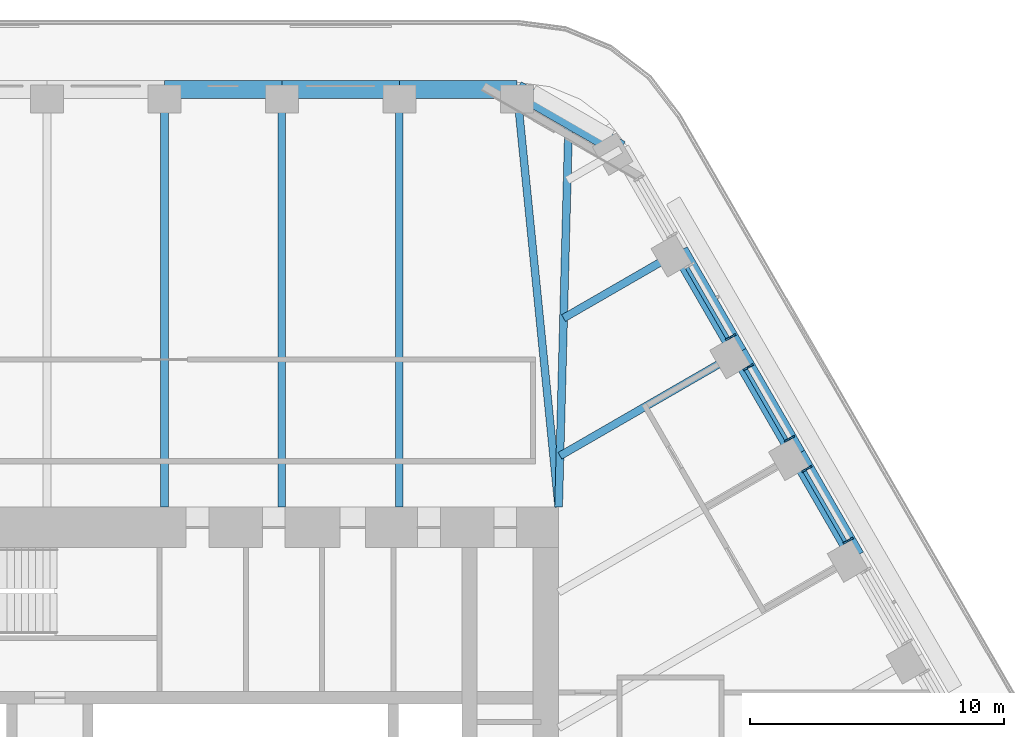
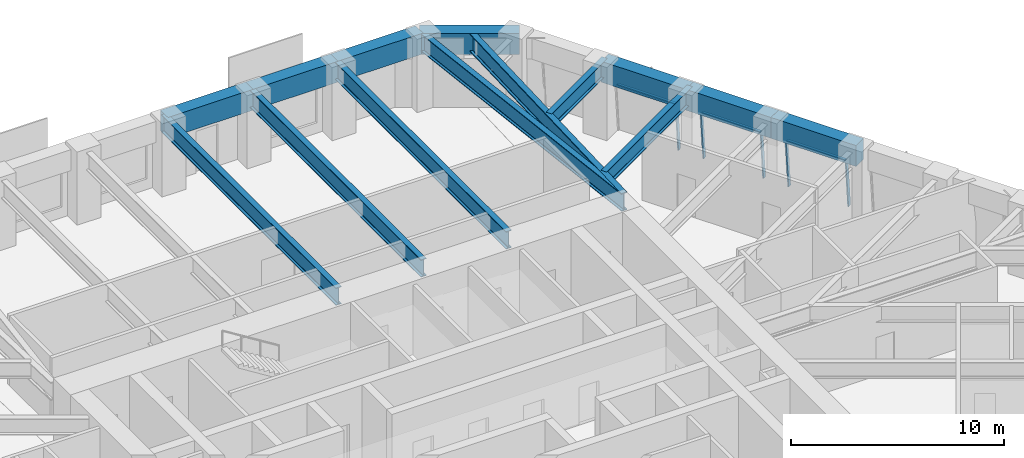
# One storey, part 11 of 20: 14 beams, 8 members, 3 elements without a shape of their own.
"""IFC4 building model written with IfcOpenShell, lengths in metres."""

from ifc_helpers import new_model, si_unit, direction, frame, origin, origin_2d, place, context, subcontext, project, spatial, rectangle, i_section, extrude, material, material_profile, profile_set, type_object, element, aggregate, save


model = new_model("IFC4")

# Units and contexts
model_context = context("Model", 3, precision=1e-05, world=origin(), true_north=direction((0.0, 1.0)))
body_context = subcontext(model_context, "Body", "Model", "MODEL_VIEW")
ifc_project = project(units=[si_unit("LENGTHUNIT", "METRE"), si_unit("AREAUNIT", "SQUARE_METRE"), si_unit("VOLUMEUNIT", "CUBIC_METRE"), si_unit("PLANEANGLEUNIT", "RADIAN"), si_unit("MASSUNIT", "GRAM", prefix="KILO")], contexts=[model_context])

# Site, building, storey
site_placement = place(None, origin())
site = spatial("IfcSite", under=ifc_project, at=site_placement, CompositionType="ELEMENT")
building_placement = place(site_placement, origin())
building = spatial("IfcBuilding", under=site, at=building_placement, Name="Tarfa Lantern Tower", CompositionType="ELEMENT")
storey_placement = place(building_placement, frame((0.0, 0.0, 249.10009765625)))
storey = spatial("IfcBuildingStorey", under=building, at=storey_placement, Name="L56", CompositionType="ELEMENT", Elevation=249.10009765625)

# Curtain wall, members
ifc_material_1 = material(Name="Aluminium framed curtain wall", Category="aluminium")
curtain_wall_type = type_object("IfcCurtainWallType", Name="CW3 CANTED GLAZING HIGH ZONE 2800", PredefinedType="USERDEFINED", material=ifc_material_1)
curtain_wall_1_placement = place(storey_placement, origin())
curtain_wall_1 = element("IfcCurtainWall", 1, at=curtain_wall_1_placement, inside=storey, type_object=curtain_wall_type, Name="CW3 NE L56", ObjectType="CURTAIN WALL", PredefinedType="USERDEFINED")
ifc_material_2 = material(Name="Aluminium mullion", Category="aluminium")
ifc_material_profile_1 = material_profile(ifc_material_2, rectangle(XDim=0.06494140625, YDim=0.199951171875, at=origin_2d()), Name="AL MULLION 65x200")
ifc_profile_set_1 = profile_set([ifc_material_profile_1], Name="Aluminium mullion")
member_type_1 = type_object("IfcMemberType", Name="CWM1 MULLION 65x200", PredefinedType="MULLION", material=ifc_profile_set_1)
member_1_placement = place(storey_placement, frame((26.996337890625, 11.041015625, 0.0), z_axis=(-0.077039050765, -0.044468989844, 0.996035889715), x_axis=(0.499919672301, -0.866071776036, 0.0)))
member_1 = element("IfcMember", 2, at=member_1_placement, type_object=member_type_1, Name="CW3 mullion 1", PredefinedType="MULLION", context=body_context, shape_type="SweptSolid", body=[
    extrude(rectangle(XDim=0.06494140625, YDim=0.199951171875, at=origin_2d()), origin(), (0.0, 0.0, 1.0), 2.81103515625),
])
member_2_placement = place(storey_placement, frame((25.369384765625, 13.85888671875, 0.0), z_axis=(-0.077039050765, -0.044468989844, 0.996035889715), x_axis=(0.499919672301, -0.866071776036, 0.0)))
member_2 = element("IfcMember", 3, at=member_2_placement, type_object=member_type_1, Name="CW3 mullion 2", PredefinedType="MULLION", context=body_context, shape_type="SweptSolid", body=[
    extrude(rectangle(XDim=0.06494140625, YDim=0.199951171875, at=origin_2d()), origin(), (0.0, 0.0, 1.0), 2.81103515625),
])

curtain_wall_2_placement = place(storey_placement, origin())
curtain_wall_2 = element("IfcCurtainWall", 4, at=curtain_wall_2_placement, inside=storey, type_object=curtain_wall_type, Name="CW3 NE L56", ObjectType="CURTAIN WALL", PredefinedType="USERDEFINED")
member_3_placement = place(storey_placement, frame((24.686767578125, 15.041015625, 0.0), z_axis=(-0.07695271188, -0.044469287226, 0.996042550611), x_axis=(0.500342721131, -0.865827443207, 0.0)))
member_3 = element("IfcMember", 5, at=member_3_placement, type_object=member_type_1, Name="CW3 mullion 1", PredefinedType="MULLION", context=body_context, shape_type="SweptSolid", body=[
    extrude(rectangle(XDim=0.06494140625, YDim=0.199951171875, at=origin_2d()), origin(), (0.0, 0.0, 1.0), 2.81103515625),
])
member_4_placement = place(storey_placement, frame((23.06005859375, 17.85888671875, 0.0), z_axis=(-0.077039050765, -0.044468989844, 0.996035889715), x_axis=(0.499919672301, -0.866071776036, 0.0)))
member_4 = element("IfcMember", 6, at=member_4_placement, type_object=member_type_1, Name="CW3 mullion 2", PredefinedType="MULLION", context=body_context, shape_type="SweptSolid", body=[
    extrude(rectangle(XDim=0.06494140625, YDim=0.199951171875, at=origin_2d()), origin(), (0.0, 0.0, 1.0), 2.81103515625),
])

# Curtain wall, member
curtain_wall_3_placement = place(storey_placement, origin())
curtain_wall_3 = element("IfcCurtainWall", 7, at=curtain_wall_3_placement, inside=storey, type_object=curtain_wall_type, Name="CW3 NE L56", ObjectType="CURTAIN WALL", PredefinedType="USERDEFINED")
member_5_placement = place(storey_placement, frame((22.37744140625, 19.041015625, 0.0), z_axis=(-0.077039050765, -0.044468989844, 0.996035889715), x_axis=(0.499919672301, -0.866071776036, 0.0)))
member_5 = element("IfcMember", 8, at=member_5_placement, type_object=member_type_1, Name="CW3 mullion 1", PredefinedType="MULLION", context=body_context, shape_type="SweptSolid", body=[
    extrude(rectangle(XDim=0.06494140625, YDim=0.199951171875, at=origin_2d()), origin(), (0.0, 0.0, 1.0), 2.81103515625),
])

# Member
ifc_material_3 = material(Name="Aluminium transom", Category="aluminium")
ifc_material_profile_2 = material_profile(ifc_material_3, rectangle(XDim=0.14990234375, YDim=0.06494140625, at=origin_2d()), Name="AL TRANSOM 150x65")
ifc_profile_set_2 = profile_set([ifc_material_profile_2], Name="Aluminium transom")
member_type_2 = type_object("IfcMemberType", Name="CWT1 TRANSOM 150x65", PredefinedType="USERDEFINED", material=ifc_profile_set_2)
member_6_placement = place(storey_placement, frame((26.76611328125, 10.945556640625, 2.767333984375), z_axis=(-0.500000789788, 0.8660249478, 0.0), x_axis=(-0.8660249478, -0.500000789788, 0.0)))
member_6 = element("IfcMember", 9, at=member_6_placement, type_object=member_type_2, Name="CW3 transom 1.2", ObjectType="TRANSOM", PredefinedType="USERDEFINED", context=body_context, shape_type="SweptSolid", body=[
    extrude(rectangle(XDim=0.14990234375, YDim=0.06494140625, at=origin_2d()), origin(), (0.0, 0.0, 1.0), 3.18896484375),
])

aggregate(curtain_wall_1, [member_1, member_2, member_6])

member_7_placement = place(storey_placement, frame((24.45654296875, 14.945556640625, 2.767333984375), z_axis=(-0.499943367995, 0.866058097819, 0.0), x_axis=(-0.866058097819, -0.499943367995, 0.0)))
member_7 = element("IfcMember", 10, at=member_7_placement, type_object=member_type_2, Name="CW3 transom 1.2", ObjectType="TRANSOM", PredefinedType="USERDEFINED", context=body_context, shape_type="SweptSolid", body=[
    extrude(rectangle(XDim=0.14990234375, YDim=0.06494140625, at=origin_2d()), origin(), (0.0, 0.0, 1.0), 3.188720703125),
])

aggregate(curtain_wall_2, [member_3, member_4, member_7])

member_8_placement = place(storey_placement, frame((22.147216796875, 18.945556640625, 2.767333984375), z_axis=(-0.500000789788, 0.8660249478, 0.0), x_axis=(-0.8660249478, -0.500000789788, 0.0)))
member_8 = element("IfcMember", 11, at=member_8_placement, type_object=member_type_2, Name="CW3 transom 1.2", ObjectType="TRANSOM", PredefinedType="USERDEFINED", context=body_context, shape_type="SweptSolid", body=[
    extrude(rectangle(XDim=0.14990234375, YDim=0.06494140625, at=origin_2d()), origin(), (0.0, 0.0, 1.0), 3.18896484375),
])

aggregate(curtain_wall_3, [member_5, member_8])

# Beams
ifc_material_4 = material(Name="Concrete C80/95", Category="concrete")
ifc_material_profile_3 = material_profile(ifc_material_4, rectangle(XDim=0.699951171875, YDim=1.199951171875, at=origin_2d()), Name="RC 700x1200")
ifc_profile_set_3 = profile_set([ifc_material_profile_3], Name="Concrete C80/95")
beam_type_1 = type_object("IfcBeamType", Name="EB3 RC 700x1200", PredefinedType="SPANDREL", material=ifc_profile_set_3)
beam_1_placement = place(storey_placement, frame((27.181640625, 10.360107421875, 3.39990234375), z_axis=(-0.499987836815, 0.866032426089, 0.0), x_axis=(-0.866032426089, -0.499987836815, 0.0)))
element("IfcBeam", 12, at=beam_1_placement, inside=storey, type_object=beam_type_1, Name="Edge beam NE2", PredefinedType="SPANDREL", context=body_context, shape_type="SweptSolid", body=[
    extrude(rectangle(XDim=0.699951171875, YDim=1.199951171875, at=origin_2d()), origin(), (0.0, 0.0, 1.0), 4.61865234375),
])
beam_2_placement = place(storey_placement, frame((24.872314453125, 14.360107421875, 3.39990234375), z_axis=(-0.500027479704, 0.866009537788, 0.0), x_axis=(-0.866009537788, -0.500027479704, 0.0)))
element("IfcBeam", 13, at=beam_2_placement, inside=storey, type_object=beam_type_1, Name="Edge beam NE3", PredefinedType="SPANDREL", context=body_context, shape_type="SweptSolid", body=[
    extrude(rectangle(XDim=0.699951171875, YDim=1.199951171875, at=origin_2d()), origin(), (0.0, 0.0, 1.0), 4.618896484375),
])
beam_3_placement = place(storey_placement, frame((22.562744140625, 18.360107421875, 3.39990234375), z_axis=(-0.499987836815, 0.866032426089, 0.0), x_axis=(-0.866032426089, -0.499987836815, 0.0)))
element("IfcBeam", 14, at=beam_3_placement, inside=storey, type_object=beam_type_1, Name="Edge beam NE4", PredefinedType="SPANDREL", context=body_context, shape_type="SweptSolid", body=[
    extrude(rectangle(XDim=0.699951171875, YDim=1.199951171875, at=origin_2d()), origin(), (0.0, 0.0, 1.0), 4.61865234375),
])
beam_4_placement = place(storey_placement, frame((17.944091796875, 26.360107421875, 3.39990234375), z_axis=(-0.866038294681, 0.499977671647, 0.0), x_axis=(-0.499977671647, -0.866038294681, 0.0)))
element("IfcBeam", 15, at=beam_4_placement, inside=storey, type_object=beam_type_1, Name="Edge beam NE6", PredefinedType="SPANDREL", context=body_context, shape_type="SweptSolid", body=[
    extrude(rectangle(XDim=0.699951171875, YDim=1.199951171875, at=origin_2d()), origin(), (0.0, 0.0, 1.0), 4.719970703125),
])
beam_5_placement = place(storey_placement, frame((13.8564453125, 28.719970703125, 3.39990234375), z_axis=(-1.0, 0.0, 0.0), x_axis=(0.0, -1.0, 0.0)))
element("IfcBeam", 16, at=beam_5_placement, inside=storey, type_object=beam_type_1, Name="Edge beam N0", PredefinedType="SPANDREL", context=body_context, shape_type="SweptSolid", body=[
    extrude(rectangle(XDim=0.699951171875, YDim=1.199951171875, at=origin_2d()), origin(), (0.0, 0.0, 1.0), 4.618896484375),
])
beam_6_placement = place(storey_placement, frame((9.237548828125, 28.719970703125, 3.39990234375), z_axis=(-1.0, 0.0, 0.0), x_axis=(0.0, -1.0, 0.0)))
element("IfcBeam", 17, at=beam_6_placement, inside=storey, type_object=beam_type_1, Name="Edge beam N1", PredefinedType="SPANDREL", context=body_context, shape_type="SweptSolid", body=[
    extrude(rectangle(XDim=0.699951171875, YDim=1.199951171875, at=origin_2d()), origin(), (0.0, 0.0, 1.0), 4.61865234375),
])
beam_7_placement = place(storey_placement, frame((4.618896484375, 28.719970703125, 3.39990234375), z_axis=(-1.0, 0.0, 0.0), x_axis=(0.0, -1.0, 0.0)))
element("IfcBeam", 18, at=beam_7_placement, inside=storey, type_object=beam_type_1, Name="Edge beam N2", PredefinedType="SPANDREL", context=body_context, shape_type="SweptSolid", body=[
    extrude(rectangle(XDim=0.699951171875, YDim=1.199951171875, at=origin_2d()), origin(), (0.0, 0.0, 1.0), 4.618896484375),
])
ifc_material_5 = material(Name="Steel S460M", Category="steel")
ifc_material_profile_4 = material_profile(ifc_material_5, i_section(OverallWidth=0.302001953125, OverallDepth=1.008056640625, WebThickness=0.02099609375, FlangeThickness=0.0400390625, FilletRadius=0.030029296875, at=origin_2d()), Name="UB1016x305x349")
ifc_profile_set_4 = profile_set([ifc_material_profile_4], Name="Steel S460M")
beam_type_2 = type_object("IfcBeamType", Name="UB1016x305x349", PredefinedType="BEAM", material=ifc_profile_set_4)
beam_8_placement = place(storey_placement, frame((13.8564453125, 28.719970703125, 3.495849609375), z_axis=(0.099597466746, -0.995027810977, 0.0), x_axis=(0.995027810977, 0.099597466746, 0.0)))
element("IfcBeam", 19, at=beam_8_placement, inside=storey, type_object=beam_type_2, Name="Floor beam N0", PredefinedType="BEAM", context=body_context, shape_type="SweptSolid", body=[
    extrude(i_section(OverallWidth=0.302001953125, OverallDepth=1.008056640625, WebThickness=0.02099609375, FlangeThickness=0.0400390625, FilletRadius=0.030029296875, at=origin_2d()), origin(), (0.0, 0.0, 1.0), 16.501953125),
])
for number, where, z_axis, x_axis, name in (
    (20, (9.237548828125, 28.719970703125, 3.495849609375), (0.0, -1.0, 0.0), (1.0, 0.0, 0.0), "Floor beam N1"),
    (21, (4.618896484375, 28.719970703125, 3.495849609375), (0.0, -1.0, 0.0), (1.0, 0.0, 0.0), "Floor beam N2"),
    (22, (0.0, 28.719970703125, 3.495849609375), (0.0, -1.0, 0.0), (1.0, 0.0, 0.0), "Floor beam N3"),
):
    element("IfcBeam", number, at=place(storey_placement, frame(where, z_axis=z_axis, x_axis=x_axis)), inside=storey, type_object=beam_type_2, Name=name, PredefinedType="BEAM", context=body_context, shape_type="SweptSolid", body=[
        extrude(i_section(OverallWidth=0.302001953125, OverallDepth=1.008056640625, WebThickness=0.02099609375, FlangeThickness=0.0400390625, FilletRadius=0.030029296875, at=origin_2d()), origin(), (0.0, 0.0, 1.0), 16.419921875),
    ])
ifc_material_profile_5 = material_profile(ifc_material_5, i_section(OverallWidth=0.30859375, OverallDepth=1.036376953125, WebThickness=0.030029296875, FlangeThickness=0.05419921875, FilletRadius=0.030029296875, at=origin_2d()), Name="UB1016x305x487")
ifc_profile_set_5 = profile_set([ifc_material_profile_5], Name="Steel S460M")
beam_type_3 = type_object("IfcBeamType", Name="UB1016x305x487", PredefinedType="BEAM", material=ifc_profile_set_5)
beam_9_placement = place(storey_placement, frame((15.5, 12.300048828125, 3.481689453125), z_axis=(0.026247301989, 0.999655480222, 0.0), x_axis=(-0.999655480222, 0.026247301989, 0.0)))
element("IfcBeam", 23, at=beam_9_placement, inside=storey, type_object=beam_type_3, Name="Hip girder NE", PredefinedType="BEAM", context=body_context, shape_type="SweptSolid", body=[
    extrude(i_section(OverallWidth=0.30859375, OverallDepth=1.036376953125, WebThickness=0.030029296875, FlangeThickness=0.05419921875, FilletRadius=0.030029296875, at=origin_2d()), origin(), (0.0, 0.0, 1.0), 15.245361328125),
])
ifc_material_profile_6 = material_profile(ifc_material_5, i_section(OverallWidth=0.305419921875, OverallDepth=0.91845703125, WebThickness=0.017333984375, FlangeThickness=0.02783203125, FilletRadius=0.01904296875, at=origin_2d()), Name="UB914x305x253")
ifc_profile_set_6 = profile_set([ifc_material_profile_6], Name="Steel S460M")
beam_type_4 = type_object("IfcBeamType", Name="UB914x305x253", PredefinedType="BEAM", material=ifc_profile_set_6)
beam_10_placement = place(storey_placement, frame((22.562744140625, 18.360107421875, 3.540771484375), z_axis=(-0.866010787764, -0.500025314835, 0.0), x_axis=(0.500025314835, -0.866010787764, 0.0)))
element("IfcBeam", 24, at=beam_10_placement, inside=storey, type_object=beam_type_4, Name="Floor beam NE4", PredefinedType="BEAM", context=body_context, shape_type="SweptSolid", body=[
    extrude(i_section(OverallWidth=0.305419921875, OverallDepth=0.91845703125, WebThickness=0.017333984375, FlangeThickness=0.02783203125, FilletRadius=0.01904296875, at=origin_2d()), origin(), (0.0, 0.0, 1.0), 8.09423828125),
])
beam_11_placement = place(storey_placement, frame((20.25341796875, 22.360107421875, 3.540771484375), z_axis=(-0.86601951648, -0.500010196972, 0.0), x_axis=(0.500010196972, -0.86601951648, 0.0)))
element("IfcBeam", 25, at=beam_11_placement, inside=storey, type_object=beam_type_4, Name="Floor beam NE5", PredefinedType="BEAM", context=body_context, shape_type="SweptSolid", body=[
    extrude(i_section(OverallWidth=0.305419921875, OverallDepth=0.91845703125, WebThickness=0.017333984375, FlangeThickness=0.02783203125, FilletRadius=0.01904296875, at=origin_2d()), origin(), (0.0, 0.0, 1.0), 5.263671875),
])

save(model, "model.ifc")
